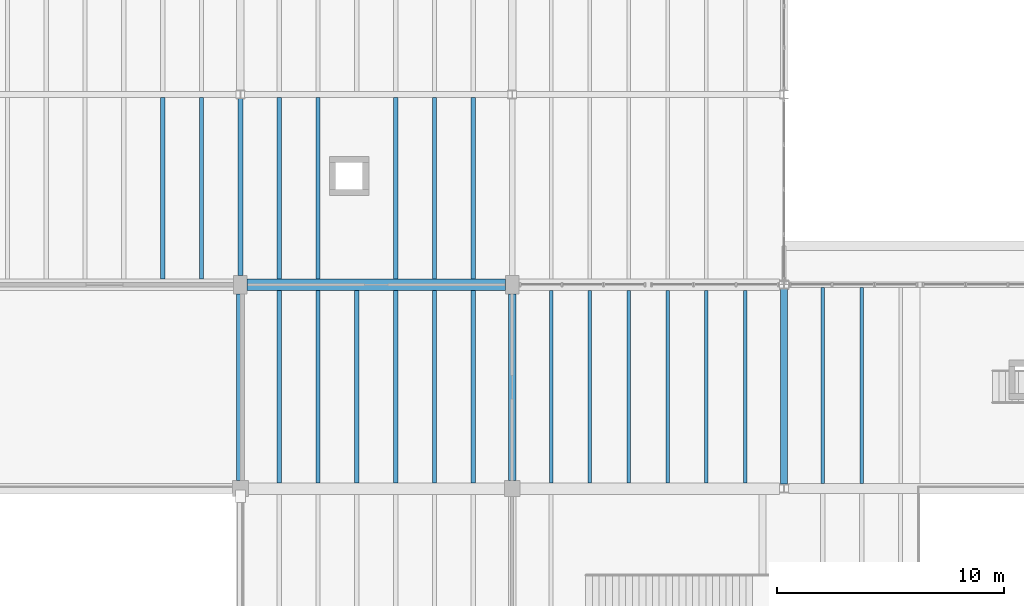
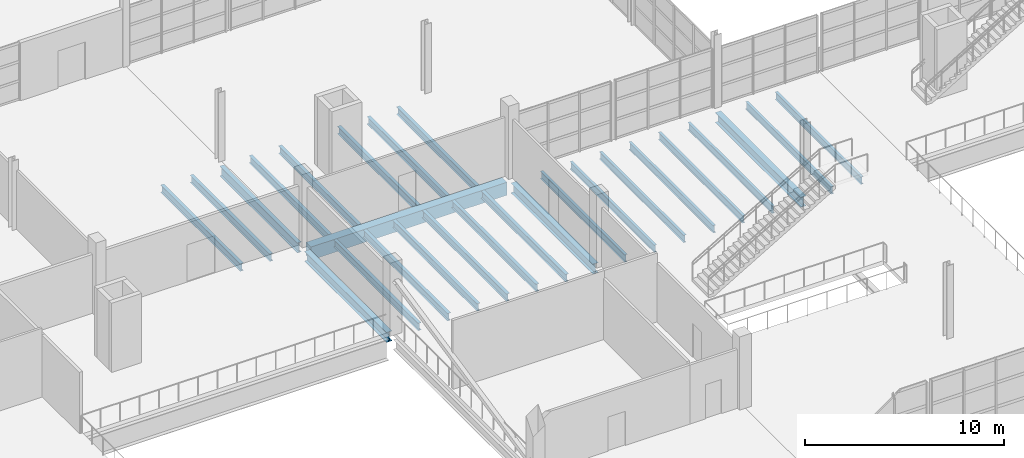
# One storey, part 22 of 114: 26 beams.
"""IFC4 building model written with IfcOpenShell, lengths in metres."""

import ifcopenshell
import ifcopenshell.guid

model = None  # the IFC model being written
_history = None  # IfcOwnerHistory: only IFC2X3 demands one
_inside = {}  # id of a spatial element -> (the spatial element, [elements in it])
_under = {}  # id of a project, library or spatial element -> (it, [spatial elements below it])
_declared = {}  # id of a project -> (the project, [libraries it declares])
_typed = {}  # id of a type object -> (the type object, [elements of that type])
_made_of = {}  # id of a material, layer set ... -> (it, [elements and type objects made of it])


def new_model(schema):
    """Start an empty IFC model of exactly this schema.

    Asked for "IFC4X3", IfcOpenShell would pick the latest addendum, in which some entities
    have other attributes; the version numbers below select the first issue.
    IFC2X3 requires an IfcOwnerHistory on every rooted entity: one is made here for all.
    """
    global model, _history
    if schema == "IFC4X3":
        model = ifcopenshell.file(schema_version=(4, 3, 0, 0))
    else:
        model = ifcopenshell.file(schema=schema)
    _inside.clear()
    _under.clear()
    _declared.clear()
    _typed.clear()
    _made_of.clear()
    _history = None
    if model.schema == "IFC2X3":
        org = make("IfcOrganization", Name="unknown")
        user = make(
            "IfcPersonAndOrganization",
            ThePerson=make("IfcPerson", FamilyName="unknown"),
            TheOrganization=org,
        )
        app = make(
            "IfcApplication",
            ApplicationDeveloper=org,
            Version="unknown",
            ApplicationFullName="unknown",
            ApplicationIdentifier="unknown",
        )
        _history = make(
            "IfcOwnerHistory",
            OwningUser=user,
            OwningApplication=app,
            ChangeAction="ADDED",
            CreationDate=0,
        )
    return model


def make(cls, **values):
    """One entity of the class cls with the attributes given. An attribute that is None is left unset."""
    return model.create_entity(
        cls, **{name: value for name, value in values.items() if value is not None}
    )


def rooted(cls, **values):
    """An entity with a GlobalId (a new one), such as an element, a storey or a relation."""
    return make(cls, GlobalId=ifcopenshell.guid.new(), OwnerHistory=_history, **values)


def si_unit(unit_type, name, prefix=None):
    """IfcSIUnit, for example si_unit("LENGTHUNIT", "METRE", prefix="MILLI")."""
    return make("IfcSIUnit", UnitType=unit_type, Prefix=prefix, Name=name)


def assignment(units):
    """IfcUnitAssignment: the units of a project."""
    return None if units is None else make("IfcUnitAssignment", Units=units)


def point(xyz):
    """IfcCartesianPoint."""
    return None if xyz is None else make("IfcCartesianPoint", Coordinates=xyz)


def direction(xyz):
    """IfcDirection."""
    return None if xyz is None else make("IfcDirection", DirectionRatios=xyz)


def frame(location, z_axis=None, x_axis=None):
    """IfcAxis2Placement3D, a coordinate frame: its origin and axes. An axis left out is left unset."""
    return make(
        "IfcAxis2Placement3D",
        Location=point(location),
        Axis=direction(z_axis),
        RefDirection=direction(x_axis),
    )


def frame_2d(location, x_axis=None):
    """IfcAxis2Placement2D, a coordinate frame in the plane: its origin and x axis."""
    return make(
        "IfcAxis2Placement2D", Location=point(location), RefDirection=direction(x_axis)
    )


def origin():
    """The frame at (0, 0, 0) with its axes left unset."""
    return frame((0.0, 0.0, 0.0))


def origin_2d():
    """The frame at (0, 0) in the plane with its x axis left unset."""
    return frame_2d((0.0, 0.0))


def place(relative_to, where):
    """IfcLocalPlacement: puts the frame where relative to a parent placement (None: the world)."""
    return make(
        "IfcLocalPlacement", PlacementRelTo=relative_to, RelativePlacement=where
    )


def context(
    kind, dimensions, precision=None, world=None, true_north=None, identifier=None
):
    """IfcGeometricRepresentationContext, for example the 3D "Model" context."""
    return make(
        "IfcGeometricRepresentationContext",
        ContextIdentifier=identifier,
        ContextType=kind,
        CoordinateSpaceDimension=dimensions,
        Precision=precision,
        WorldCoordinateSystem=world,
        TrueNorth=true_north,
    )


def subcontext(parent, identifier, kind, view, scale=None):
    """IfcGeometricRepresentationSubContext, for example "Body" below "Model"."""
    return make(
        "IfcGeometricRepresentationSubContext",
        ContextIdentifier=identifier,
        ContextType=kind,
        ParentContext=parent,
        TargetScale=scale,
        TargetView=view,
    )


def project(units=None, contexts=None):
    """IfcProject with its units and contexts."""
    return rooted(
        "IfcProject",
        Name="project",
        RepresentationContexts=contexts,
        UnitsInContext=assignment(units),
    )


def spatial(cls, under=None, at=None, **own):
    """A site, building, storey or space (cls), placed at a placement, below another one or the project."""
    s = rooted(cls, ObjectPlacement=at, **own)
    if under is not None:
        _under.setdefault(under.id(), (under, []))[1].append(s)
    return s


def profile(cls, at=None, kind="AREA", **sizes):
    """A parametric profile (cls). Its sizes go by their IFC names, for example OverallWidth=200.0."""
    return make(cls, ProfileType=kind, Position=at, **sizes)


def rectangle(**sizes):
    """IfcRectangleProfileDef."""
    return profile("IfcRectangleProfileDef", **sizes)


def i_section(**sizes):
    """IfcIShapeProfileDef."""
    return profile("IfcIShapeProfileDef", **sizes)


def extrude(swept, where, along, depth):
    """IfcExtrudedAreaSolid: the profile swept, set in the frame where, extruded along a direction by depth."""
    return make(
        "IfcExtrudedAreaSolid",
        SweptArea=swept,
        Position=where,
        ExtrudedDirection=direction(along),
        Depth=depth,
    )


def shape(context_of_items, identifier, shape_type, items):
    """IfcShapeRepresentation: the items that make up one representation, for example the "Body"."""
    return make(
        "IfcShapeRepresentation",
        ContextOfItems=context_of_items,
        RepresentationIdentifier=identifier,
        RepresentationType=shape_type,
        Items=items,
    )


def material(Name=None, Category=None):
    """IfcMaterial."""
    return make("IfcMaterial", Name=Name, Category=Category)


def material_profile(
    of_material, cross_section, Name=None, Category=None, Priority=None
):
    """IfcMaterialProfile: a cross section and its material."""
    return make(
        "IfcMaterialProfile",
        Name=Name,
        Material=of_material,
        Profile=cross_section,
        Priority=Priority,
        Category=Category,
    )


def profile_set(profiles, Name=None, composite=None):
    """IfcMaterialProfileSet."""
    return make(
        "IfcMaterialProfileSet",
        Name=Name,
        MaterialProfiles=profiles,
        CompositeProfile=composite,
    )


def made_of(thing, what):
    """Note that an element or type object is made of a material, layer set ...; save() writes the relation."""
    if what is not None:
        _made_of.setdefault(what.id(), (what, []))[1].append(thing)
    return thing


def type_object(cls, material=None, **own):
    """A type object (cls), such as IfcWallType, which elements share."""
    return made_of(rooted(cls, **own), material)


def element(
    cls,
    number,
    at=None,
    inside=None,
    cuts=None,
    type_object=None,
    material=None,
    context=None,
    identifier="Body",
    shape_type=None,
    held_by="IfcProductDefinitionShape",
    body=None,
    shapes=None,
    **own,
):
    """One element of the class cls, such as IfcWall. Its Tag is "e" and its number.

    at: its placement. inside: the storey or other place that contains it. cuts: it is an
    opening in that element (IfcRelVoidsElement). A single representation is given by context,
    identifier, shape_type and body (its items); several are given by shapes. held_by: the class
    of the entity that holds the representations. save() writes the other relations.
    """
    e = rooted(cls, Tag="e%d" % number, ObjectPlacement=at, **own)
    if body is not None:
        shapes = [shape(context, identifier, shape_type, body)]
    if shapes is not None:
        e.Representation = make(held_by, Representations=shapes)
    if inside is not None:
        _inside.setdefault(inside.id(), (inside, []))[1].append(e)
    if cuts is not None:
        rooted(
            "IfcRelVoidsElement", RelatingBuildingElement=cuts, RelatedOpeningElement=e
        )
    if type_object is not None:
        _typed.setdefault(type_object.id(), (type_object, []))[1].append(e)
    return made_of(e, material)


def aggregate(whole, parts):
    """IfcRelAggregates: a whole, such as a stair, and the parts it consists of."""
    return rooted("IfcRelAggregates", RelatingObject=whole, RelatedObjects=parts)


def save(model, path):
    """Write the relations noted so far, then the file.

    IfcRelAggregates (storeys below a building ...), IfcRelContainedInSpatialStructure (elements
    in a storey), IfcRelDefinesByType, IfcRelAssociatesMaterial and IfcRelDeclares: one each for
    every whole, place, type object, material and project.
    """
    for whole, parts in _under.values():
        aggregate(whole, parts)
    for where, things in _inside.values():
        rooted(
            "IfcRelContainedInSpatialStructure",
            RelatedElements=things,
            RelatingStructure=where,
        )
    for kind, things in _typed.values():
        rooted("IfcRelDefinesByType", RelatedObjects=things, RelatingType=kind)
    for what, things in _made_of.values():
        rooted("IfcRelAssociatesMaterial", RelatedObjects=things, RelatingMaterial=what)
    for by, libraries in _declared.values():
        rooted("IfcRelDeclares", RelatingContext=by, RelatedDefinitions=libraries)
    model.write(path)


model = new_model("IFC4")

# Units and contexts
model_context = context("Model", 3, precision=1e-05, world=origin(), true_north=direction((0.0, 1.0)))
body_context = subcontext(model_context, "Body", "Model", "MODEL_VIEW")
ifc_project = project(units=[si_unit("LENGTHUNIT", "METRE"), si_unit("AREAUNIT", "SQUARE_METRE"), si_unit("VOLUMEUNIT", "CUBIC_METRE"), si_unit("PLANEANGLEUNIT", "RADIAN"), si_unit("MASSUNIT", "GRAM", prefix="KILO")], contexts=[model_context])

# Site, building, storey
site_placement = place(None, origin())
site = spatial("IfcSite", under=ifc_project, at=site_placement, CompositionType="ELEMENT")
building_placement = place(site_placement, origin())
building = spatial("IfcBuilding", under=site, at=building_placement, Name="Kelmvaro Bay Concert Hall", CompositionType="ELEMENT")
storey_placement = place(building_placement, frame((0.0, 0.0, 4.800048828125)))
storey = spatial("IfcBuildingStorey", under=building, at=storey_placement, Name="L01", CompositionType="ELEMENT", Elevation=4.800048828125)

# Beams
ifc_material_1 = material(Name="Steel ASTM A992 Grade 50", Category="steel")
ifc_material_profile_1 = material_profile(ifc_material_1, i_section(OverallWidth=0.152099609375, OverallDepth=0.455078125, WebThickness=0.008056640625, FlangeThickness=0.01318359375, at=origin_2d()), Name="W18X40")
ifc_profile_set_1 = profile_set([ifc_material_profile_1], Name="Steel ASTM A992 Grade 50")
beam_type_1 = type_object("IfcBeamType", Name="Foyer Concourse Floor Joist W18x40", PredefinedType="JOIST", material=ifc_profile_set_1)
for number, where, z_axis, x_axis, name in (
    (1, (49.71435546875, 30.25, -0.4775390625), (0.0, 1.0, 0.0), (-1.0, 0.0, 0.0), "L01 Floor Joist JST-L01-0377"),
    (2, (51.4287109375, 30.25, -0.4775390625), (0.0, 1.0, 0.0), (-1.0, 0.0, 0.0), "L01 Floor Joist JST-L01-0378"),
    (3, (53.142822265625, 30.25, -0.4775390625), (0.0, 1.0, 0.0), (-1.0, 0.0, 0.0), "L01 Floor Joist JST-L01-0379"),
    (4, (54.857177734375, 30.25, -0.4775390625), (0.0, 1.0, 0.0), (-1.0, 0.0, 0.0), "L01 Floor Joist JST-L01-0380"),
    (5, (56.5712890625, 30.25, -0.4775390625), (0.0, 1.0, 0.0), (-1.0, 0.0, 0.0), "L01 Floor Joist JST-L01-0381"),
    (6, (58.28564453125, 30.25, -0.4775390625), (0.0, 1.0, 0.0), (-1.0, 0.0, 0.0), "L01 Floor Joist JST-L01-0382"),
):
    element("IfcBeam", number, at=place(storey_placement, frame(where, z_axis=z_axis, x_axis=x_axis)), inside=storey, type_object=beam_type_1, Name=name, PredefinedType="JOIST", context=body_context, shape_type="SweptSolid", body=[
        extrude(i_section(OverallWidth=0.152099609375, OverallDepth=0.455078125, WebThickness=0.008056640625, FlangeThickness=0.01318359375, at=origin_2d()), origin(), (0.0, 0.0, 1.0), 8.5),
    ])
for number, where, z_axis, x_axis, name in (
    (7, (61.71435546875, 30.22509765625, -0.4775390625), (0.0, 1.0, 0.0), (-1.0, 0.0, 0.0), "L01 Floor Joist JST-L01-0383"),
    (8, (63.4287109375, 30.22509765625, -0.4775390625), (0.0, 1.0, 0.0), (-1.0, 0.0, 0.0), "L01 Floor Joist JST-L01-0384"),
):
    element("IfcBeam", number, at=place(storey_placement, frame(where, z_axis=z_axis, x_axis=x_axis)), inside=storey, type_object=beam_type_1, Name=name, PredefinedType="JOIST", context=body_context, shape_type="SweptSolid", body=[
        extrude(i_section(OverallWidth=0.152099609375, OverallDepth=0.455078125, WebThickness=0.008056640625, FlangeThickness=0.01318359375, at=origin_2d()), origin(), (0.0, 0.0, 1.0), 8.64697265625),
    ])
ifc_material_2 = material(Name="Steel ASTM A992 Grade 50", Category="steel")
ifc_material_profile_2 = material_profile(ifc_material_2, i_section(OverallWidth=0.323974609375, OverallDepth=0.611083984375, WebThickness=0.0126953125, FlangeThickness=0.01904296875, at=origin_2d()), Name="W24X104")
ifc_profile_set_2 = profile_set([ifc_material_profile_2], Name="Steel ASTM A992 Grade 50")
beam_type_2 = type_object("IfcBeamType", Name="Foyer Frame Girder W24x104", PredefinedType="BEAM", material=ifc_profile_set_2)
for number, where, z_axis, x_axis, name in (
    (9, (36.0, 30.35009765625, -0.5556640625), (0.0, 1.0, 0.0), (-1.0, 0.0, 0.0), "L01 Girder BM-L01-NS-0144"),
    (10, (48.0, 30.35009765625, -0.5556640625), (0.0, 1.0, 0.0), (-1.0, 0.0, 0.0), "L01 Girder BM-L01-NS-0150"),
):
    element("IfcBeam", number, at=place(storey_placement, frame(where, z_axis=z_axis, x_axis=x_axis)), inside=storey, type_object=beam_type_2, Name=name, PredefinedType="BEAM", context=body_context, shape_type="SweptSolid", body=[
        extrude(i_section(OverallWidth=0.323974609375, OverallDepth=0.611083984375, WebThickness=0.0126953125, FlangeThickness=0.01904296875, at=origin_2d()), origin(), (0.0, 0.0, 1.0), 8.25),
    ])
beam_1_placement = place(storey_placement, frame((60.0, 30.193115234375, -0.5556640625), z_axis=(0.0, 1.0, 0.0), x_axis=(-1.0, 0.0, 0.0)))
element("IfcBeam", 11, at=beam_1_placement, inside=storey, type_object=beam_type_2, Name="L01 Girder BM-L01-NS-0160", PredefinedType="BEAM", context=body_context, shape_type="SweptSolid", body=[
    extrude(i_section(OverallWidth=0.323974609375, OverallDepth=0.611083984375, WebThickness=0.0126953125, FlangeThickness=0.01904296875, at=origin_2d()), origin(), (0.0, 0.0, 1.0), 8.61376953125),
])
ifc_material_3 = material(Name="Concrete C40/50", Category="concrete")
ifc_material_profile_3 = material_profile(ifc_material_3, rectangle(XDim=0.5, YDim=0.800048828125, at=origin_2d()), Name="RC-BM-500X800")
ifc_profile_set_3 = profile_set([ifc_material_profile_3], Name="Concrete C40/50")
beam_type_3 = type_object("IfcBeamType", Name="Pavilion Frame Beam RC500x800", PredefinedType="BEAM", material=ifc_profile_set_3)
beam_2_placement = place(storey_placement, frame((36.300048828125, 39.0, -0.650146484375), z_axis=(1.0, 0.0, 0.0), x_axis=(0.0, 1.0, 0.0)))
element("IfcBeam", 12, at=beam_2_placement, inside=storey, type_object=beam_type_3, Name="L01 Girder BM-L01-EW-0048", PredefinedType="BEAM", context=body_context, shape_type="SweptSolid", body=[
    extrude(rectangle(XDim=0.5, YDim=0.800048828125, at=origin_2d()), origin(), (0.0, 0.0, 1.0), 11.39990234375),
])
ifc_material_4 = material(Name="Steel ASTM A992 Grade 50", Category="steel")
ifc_material_profile_4 = material_profile(ifc_material_4, i_section(OverallWidth=0.19091796875, OverallDepth=0.45703125, WebThickness=0.009033203125, FlangeThickness=0.014404296875, at=origin_2d()), Name="W18X50")
ifc_profile_set_4 = profile_set([ifc_material_profile_4], Name="Steel ASTM A992 Grade 50")
beam_type_4 = type_object("IfcBeamType", Name="Standard Composite Floor Joist W18x50", PredefinedType="JOIST", material=ifc_profile_set_4)
for number, where, z_axis, x_axis, name in (
    (13, (37.71435546875, 30.25, -0.478515625), (0.0, 1.0, 0.0), (-1.0, 0.0, 0.0), "L01 Floor Joist JST-L01-0371"),
    (14, (39.4287109375, 30.25, -0.478515625), (0.0, 1.0, 0.0), (-1.0, 0.0, 0.0), "L01 Floor Joist JST-L01-0372"),
    (15, (41.142822265625, 30.25, -0.478515625), (0.0, 1.0, 0.0), (-1.0, 0.0, 0.0), "L01 Floor Joist JST-L01-0373"),
    (16, (42.857177734375, 30.25, -0.478515625), (0.0, 1.0, 0.0), (-1.0, 0.0, 0.0), "L01 Floor Joist JST-L01-0374"),
    (17, (44.5712890625, 30.25, -0.478515625), (0.0, 1.0, 0.0), (-1.0, 0.0, 0.0), "L01 Floor Joist JST-L01-0375"),
    (18, (46.28564453125, 30.25, -0.478515625), (0.0, 1.0, 0.0), (-1.0, 0.0, 0.0), "L01 Floor Joist JST-L01-0376"),
):
    element("IfcBeam", number, at=place(storey_placement, frame(where, z_axis=z_axis, x_axis=x_axis)), inside=storey, type_object=beam_type_4, Name=name, PredefinedType="JOIST", context=body_context, shape_type="SweptSolid", body=[
        extrude(i_section(OverallWidth=0.19091796875, OverallDepth=0.45703125, WebThickness=0.009033203125, FlangeThickness=0.014404296875, at=origin_2d()), origin(), (0.0, 0.0, 1.0), 8.5),
    ])
for number, where, z_axis, x_axis, name in (
    (19, (32.5712890625, 39.25, -0.478515625), (0.0, 1.0, 0.0), (-1.0, 0.0, 0.0), "L01 Floor Joist JST-L01-0437"),
    (20, (34.28564453125, 39.25, -0.478515625), (0.0, 1.0, 0.0), (-1.0, 0.0, 0.0), "L01 Floor Joist JST-L01-0438"),
    (21, (37.71435546875, 39.25, -0.478515625), (0.0, 1.0, 0.0), (-1.0, 0.0, 0.0), "L01 Floor Joist JST-L01-0439"),
    (22, (39.4287109375, 39.25, -0.478515625), (0.0, 1.0, 0.0), (-1.0, 0.0, 0.0), "L01 Floor Joist JST-L01-0440"),
    (23, (42.857177734375, 39.25, -0.478515625), (0.0, 1.0, 0.0), (-1.0, 0.0, 0.0), "L01 Floor Joist JST-L01-0441"),
    (24, (44.5712890625, 39.25, -0.478515625), (0.0, 1.0, 0.0), (-1.0, 0.0, 0.0), "L01 Floor Joist JST-L01-0442"),
    (25, (46.28564453125, 39.25, -0.478515625), (0.0, 1.0, 0.0), (-1.0, 0.0, 0.0), "L01 Floor Joist JST-L01-0443"),
):
    element("IfcBeam", number, at=place(storey_placement, frame(where, z_axis=z_axis, x_axis=x_axis)), inside=storey, type_object=beam_type_4, Name=name, PredefinedType="JOIST", context=body_context, shape_type="SweptSolid", body=[
        extrude(i_section(OverallWidth=0.19091796875, OverallDepth=0.45703125, WebThickness=0.009033203125, FlangeThickness=0.014404296875, at=origin_2d()), origin(), (0.0, 0.0, 1.0), 8.02197265625),
    ])
ifc_material_5 = material(Name="Steel ASTM A992 Grade 50", Category="steel")
ifc_material_profile_5 = material_profile(ifc_material_5, i_section(OverallWidth=0.22900390625, OverallDepth=0.612060546875, WebThickness=0.011962890625, FlangeThickness=0.01953125, at=origin_2d()), Name="W24X84")
ifc_profile_set_5 = profile_set([ifc_material_profile_5], Name="Steel ASTM A992 Grade 50")
beam_type_5 = type_object("IfcBeamType", Name="Terrace Edge Girder W24x84", PredefinedType="BEAM", material=ifc_profile_set_5)
beam_3_placement = place(storey_placement, frame((36.0, 39.39990234375, -0.55615234375), z_axis=(0.0, 1.0, 0.0), x_axis=(-1.0, 0.0, 0.0)))
element("IfcBeam", 26, at=beam_3_placement, inside=storey, type_object=beam_type_5, Name="L01 Girder BM-L01-NS-0145", PredefinedType="BEAM", context=body_context, shape_type="SweptSolid", body=[
    extrude(i_section(OverallWidth=0.22900390625, OverallDepth=0.612060546875, WebThickness=0.011962890625, FlangeThickness=0.01953125, at=origin_2d()), origin(), (0.0, 0.0, 1.0), 7.8134765625),
])

save(model, "model.ifc")
